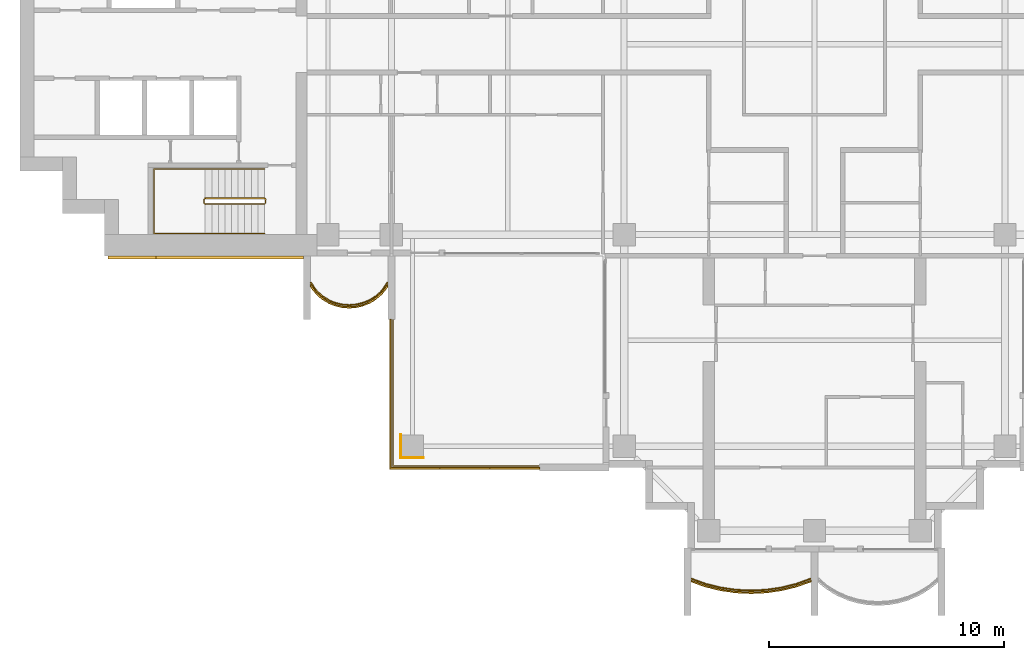
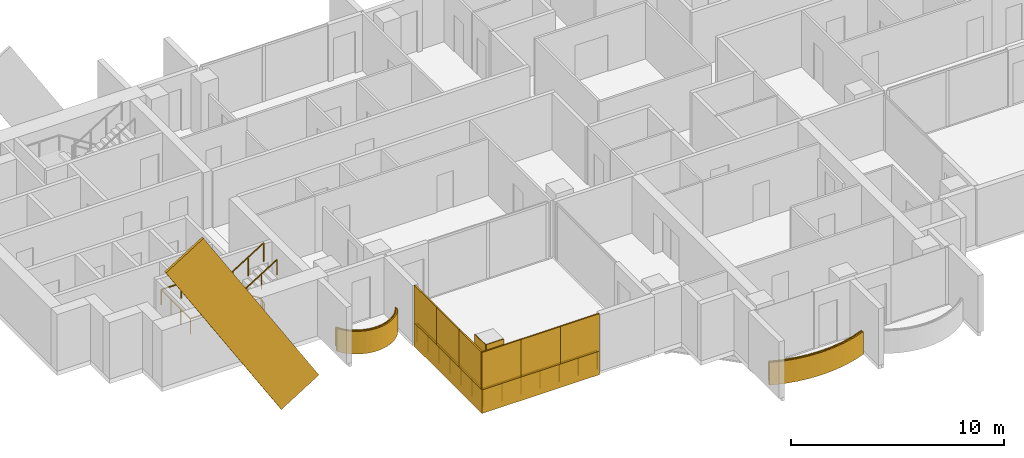
# One storey, part 15 of 18: 12 coverings, 5 railings.
"""IFC4 building model written with IfcOpenShell, lengths in metres."""

from ifc_helpers import new_model, si_unit, direction, frame, origin, origin_2d, place, context, subcontext, project, spatial, polyline, rectangle, outline, extrude, material, layer, layer_set, material_profile, profile_set, type_object, element, save


model = new_model("IFC4")

# Units and contexts
model_context = context("Model", 3, precision=1e-05, world=origin(), true_north=direction((0.0, 1.0)))
body_context = subcontext(model_context, "Body", "Model", "MODEL_VIEW")
ifc_project = project(units=[si_unit("LENGTHUNIT", "METRE"), si_unit("AREAUNIT", "SQUARE_METRE"), si_unit("VOLUMEUNIT", "CUBIC_METRE"), si_unit("PLANEANGLEUNIT", "RADIAN"), si_unit("MASSUNIT", "GRAM", prefix="KILO")], contexts=[model_context])

# Site, building, storey
site_placement = place(None, origin())
site = spatial("IfcSite", under=ifc_project, at=site_placement, CompositionType="ELEMENT")
building_placement = place(site_placement, origin())
building = spatial("IfcBuilding", under=site, at=building_placement, Name="Perihelion Cross Residences", CompositionType="ELEMENT")
storey_placement = place(building_placement, frame((0.0, 0.0, 177.10009765625)))
storey = spatial("IfcBuildingStorey", under=building, at=storey_placement, Name="L43", CompositionType="ELEMENT", Elevation=177.10009765625)

# Coverings
ifc_material_1 = material(Name="Bronze anodised aluminium", Category="aluminium")
ifc_layer_1 = layer(ifc_material_1, 0.070068359375)
ifc_layer_set_1 = layer_set([ifc_layer_1], Name="Balcony fascia 1300")
covering_type_1 = type_object("IfcCoveringType", Name="Balcony fascia 1300", PredefinedType="CLADDING", material=ifc_layer_set_1)
covering_1_placement = place(storey_placement, frame((0.0, 0.0, -0.2001953125)))
element("IfcCovering", 1, at=covering_1_placement, inside=storey, type_object=covering_type_1, Name="Fascia BF1 L43 west side south bay 1", PredefinedType="CLADDING", context=body_context, shape_type="SweptSolid", body=[
    extrude(outline(polyline([(-21.226318359375, -10.616455078125), (-20.94091796875, -10.86328125), (-20.655517578125, -11.031494140625), (-20.370361328125, -11.142578125), (-20.085205078125, -11.206298828125), (-19.800048828125, -11.22705078125), (-19.514892578125, -11.206298828125), (-19.229736328125, -11.142578125), (-18.9443359375, -11.031494140625), (-18.6591796875, -10.86328125), (-18.373779296875, -10.616455078125), (-18.14990234375, -10.31689453125), (-18.14990234375, -10.199951171875), (-18.425048828125, -10.568603515625), (-18.699951171875, -10.806396484375), (-18.97509765625, -10.96875), (-19.25, -11.07568359375), (-19.52490234375, -11.136962890625), (-19.800048828125, -11.156982421875), (-20.074951171875, -11.136962890625), (-20.35009765625, -11.07568359375), (-20.625, -10.96875), (-20.89990234375, -10.806396484375), (-21.175048828125, -10.568603515625), (-21.449951171875, -10.199951171875), (-21.449951171875, -10.31689453125), (-21.226318359375, -10.616455078125)])), origin(), (0.0, 0.0, 1.0), 1.300048828125),
])
covering_2_placement = place(storey_placement, frame((0.0, 0.0, -0.2001953125)))
element("IfcCovering", 2, at=covering_2_placement, inside=storey, type_object=covering_type_1, Name="Fascia BF1 L43 south tip south bay 1", PredefinedType="CLADDING", context=body_context, shape_type="SweptSolid", body=[
    extrude(outline(polyline([(-4.63232421875, -23.090576171875), (-3.98828125, -23.247314453125), (-3.34423828125, -23.339599609375), (-2.699951171875, -23.3701171875), (-2.055908203125, -23.339599609375), (-1.411865234375, -23.247314453125), (-0.767578125, -23.090576171875), (-0.14990234375, -22.874267578125), (-0.14990234375, -22.800048828125), (-0.78759765625, -23.0234375), (-1.425048828125, -23.178466796875), (-2.0625, -23.269775390625), (-2.699951171875, -23.300048828125), (-3.33740234375, -23.269775390625), (-3.97509765625, -23.178466796875), (-4.612548828125, -23.0234375), (-5.25, -22.800048828125), (-5.25, -22.874267578125), (-4.63232421875, -23.090576171875)])), origin(), (0.0, 0.0, 1.0), 1.300048828125),
])

# Railings
ifc_material_2 = material(Name="Bronze anodised aluminium", Category="aluminium")
railing_type_1 = type_object("IfcRailingType", Name="Balcony guard 1100", PredefinedType="GUARDRAIL", material=ifc_material_2)
railing_1_placement = place(storey_placement, frame((-21.425048828125, -10.139892578125, 0.0)))
element("IfcRailing", 3, at=railing_1_placement, inside=storey, type_object=railing_type_1, Name="Guard GU1 L43 west side south bay 1 balcony", PredefinedType="GUARDRAIL", context=body_context, shape_type="SweptSolid", body=[
    extrude(rectangle(XDim=0.048095703125, YDim=0.048095703125, at=origin_2d()), frame((0.0, 0.0, 1.076171875), z_axis=(0.561260132269, -0.827639452857, 0.0), x_axis=(0.827639452857, 0.561260132269, 0.0)), (0.0, 0.0, 1.0), 0.4453125),
    extrude(rectangle(XDim=0.048095703125, YDim=0.048095703125, at=origin_2d()), frame((0.25, -0.36865234375, 1.076171875), z_axis=(0.756596535164, -0.653882009982, 0.0), x_axis=(0.653882009982, 0.756596535164, 0.0)), (0.0, 0.0, 1.0), 0.36376953125),
    extrude(rectangle(XDim=0.048095703125, YDim=0.048095703125, at=origin_2d()), frame((0.525146484375, -0.6064453125, 1.076171875), z_axis=(0.861048292884, -0.508523192511, 0.0), x_axis=(0.508523192511, 0.861048292884, 0.0)), (0.0, 0.0, 1.0), 0.3193359375),
    extrude(rectangle(XDim=0.048095703125, YDim=0.048095703125, at=origin_2d()), frame((0.800048828125, -0.768798828125, 1.076171875), z_axis=(0.931973602183, -0.362526143656, 0.0), x_axis=(0.362526143656, 0.931973602183, 0.0)), (0.0, 0.0, 1.0), 0.294921875),
    extrude(rectangle(XDim=0.048095703125, YDim=0.048095703125, at=origin_2d()), frame((1.074951171875, -0.875732421875, 1.076171875), z_axis=(0.976085059389, -0.21738895289, 0.0), x_axis=(0.21738895289, 0.976085059389, 0.0)), (0.0, 0.0, 1.0), 0.281982421875),
    extrude(rectangle(XDim=0.048095703125, YDim=0.048095703125, at=origin_2d()), frame((1.35009765625, -0.93701171875, 1.076171875), z_axis=(0.997358821833, -0.072631814734, 0.0), x_axis=(0.072631814734, 0.997358821833, 0.0)), (0.0, 0.0, 1.0), 0.275634765625),
    extrude(rectangle(XDim=0.048095703125, YDim=0.048095703125, at=origin_2d()), frame((1.625, -0.95703125, 1.076171875), z_axis=(0.997363488337, 0.072567707226, 0.0), x_axis=(-0.072567707226, 0.997363488337, 0.0)), (0.0, 0.0, 1.0), 0.27587890625),
    extrude(rectangle(XDim=0.048095703125, YDim=0.048095703125, at=origin_2d()), frame((1.900146484375, -0.93701171875, 1.076171875), z_axis=(0.976044077717, 0.217572880557, 0.0), x_axis=(-0.217572880557, 0.976044077717, 0.0)), (0.0, 0.0, 1.0), 0.28173828125),
    extrude(rectangle(XDim=0.048095703125, YDim=0.048095703125, at=origin_2d()), frame((2.175048828125, -0.875732421875, 1.076171875), z_axis=(0.931973602183, 0.362526143656, 0.0), x_axis=(-0.362526143656, 0.931973602183, 0.0)), (0.0, 0.0, 1.0), 0.294921875),
    extrude(rectangle(XDim=0.048095703125, YDim=0.048095703125, at=origin_2d()), frame((2.449951171875, -0.768798828125, 1.076171875), z_axis=(0.861245845072, 0.508188542123, 0.0), x_axis=(-0.508188542123, 0.861245845072, 0.0)), (0.0, 0.0, 1.0), 0.319580078125),
    extrude(rectangle(XDim=0.048095703125, YDim=0.048095703125, at=origin_2d()), frame((2.72509765625, -0.6064453125, 1.076171875), z_axis=(0.756309278473, 0.654214242658, 0.0), x_axis=(-0.654214242658, 0.756309278473, 0.0)), (0.0, 0.0, 1.0), 0.363525390625),
    extrude(rectangle(XDim=0.048095703125, YDim=0.048095703125, at=origin_2d()), frame((3.0, -0.36865234375, 1.076171875), z_axis=(0.561260132269, 0.827639452857, 0.0), x_axis=(-0.827639452857, 0.561260132269, 0.0)), (0.0, 0.0, 1.0), 0.4453125),
    extrude(rectangle(XDim=0.0419921875, YDim=0.0419921875, at=origin_2d()), origin(), (0.0, 0.0, 1.0), 1.052001953125),
    extrude(rectangle(XDim=0.0419921875, YDim=0.0419921875, at=origin_2d()), frame((0.25, -0.36865234375, 0.0)), (0.0, 0.0, 1.0), 1.052001953125),
    extrude(rectangle(XDim=0.0419921875, YDim=0.0419921875, at=origin_2d()), frame((0.525146484375, -0.6064453125, 0.0)), (0.0, 0.0, 1.0), 1.052001953125),
    extrude(rectangle(XDim=0.0419921875, YDim=0.0419921875, at=origin_2d()), frame((0.800048828125, -0.768798828125, 0.0)), (0.0, 0.0, 1.0), 1.052001953125),
    extrude(rectangle(XDim=0.0419921875, YDim=0.0419921875, at=origin_2d()), frame((1.074951171875, -0.875732421875, 0.0)), (0.0, 0.0, 1.0), 1.052001953125),
    extrude(rectangle(XDim=0.0419921875, YDim=0.0419921875, at=origin_2d()), frame((1.35009765625, -0.93701171875, 0.0)), (0.0, 0.0, 1.0), 1.052001953125),
    extrude(rectangle(XDim=0.0419921875, YDim=0.0419921875, at=origin_2d()), frame((1.625, -0.95703125, 0.0)), (0.0, 0.0, 1.0), 1.052001953125),
    extrude(rectangle(XDim=0.0419921875, YDim=0.0419921875, at=origin_2d()), frame((1.900146484375, -0.93701171875, 0.0)), (0.0, 0.0, 1.0), 1.052001953125),
    extrude(rectangle(XDim=0.0419921875, YDim=0.0419921875, at=origin_2d()), frame((2.175048828125, -0.875732421875, 0.0)), (0.0, 0.0, 1.0), 1.052001953125),
    extrude(rectangle(XDim=0.0419921875, YDim=0.0419921875, at=origin_2d()), frame((2.449951171875, -0.768798828125, 0.0)), (0.0, 0.0, 1.0), 1.052001953125),
    extrude(rectangle(XDim=0.0419921875, YDim=0.0419921875, at=origin_2d()), frame((2.72509765625, -0.6064453125, 0.0)), (0.0, 0.0, 1.0), 1.052001953125),
    extrude(rectangle(XDim=0.0419921875, YDim=0.0419921875, at=origin_2d()), frame((3.0, -0.36865234375, 0.0)), (0.0, 0.0, 1.0), 1.052001953125),
    extrude(rectangle(XDim=0.0419921875, YDim=0.0419921875, at=origin_2d()), frame((3.25, 0.0, 0.0)), (0.0, 0.0, 1.0), 1.052001953125),
])
railing_2_placement = place(storey_placement, frame((-5.22509765625, -22.739990234375, 0.0)))
element("IfcRailing", 4, at=railing_2_placement, inside=storey, type_object=railing_type_1, Name="Guard GU1 L43 south tip south bay 1 balcony", PredefinedType="GUARDRAIL", context=body_context, shape_type="SweptSolid", body=[
    extrude(rectangle(XDim=0.048095703125, YDim=0.048095703125, at=origin_2d()), frame((0.0, 0.0, 1.076171875), z_axis=(0.939355405384, -0.342945217749, 0.0), x_axis=(0.342945217749, 0.939355405384, 0.0)), (0.0, 0.0, 1.0), 0.652099609375),
    extrude(rectangle(XDim=0.048095703125, YDim=0.048095703125, at=origin_2d()), frame((0.612548828125, -0.2236328125, 1.076171875), z_axis=(0.971676841941, -0.236313594268, 0.0), x_axis=(0.236313594268, 0.971676841941, 0.0)), (0.0, 0.0, 1.0), 0.656005859375),
    extrude(rectangle(XDim=0.048095703125, YDim=0.048095703125, at=origin_2d()), frame((1.25, -0.378662109375, 1.076171875), z_axis=(0.989903964498, -0.141739694763, 0.0), x_axis=(0.141739694763, 0.989903964498, 0.0)), (0.0, 0.0, 1.0), 0.644287109375),
    extrude(rectangle(XDim=0.048095703125, YDim=0.048095703125, at=origin_2d()), frame((1.8876953125, -0.469970703125, 1.076171875), z_axis=(0.998892243319, -0.04705620296, 0.0), x_axis=(0.04705620296, 0.998892243319, 0.0)), (0.0, 0.0, 1.0), 0.63818359375),
    extrude(rectangle(XDim=0.048095703125, YDim=0.048095703125, at=origin_2d()), frame((2.525146484375, -0.5, 1.076171875), z_axis=(0.998892243319, 0.04705620296, 0.0), x_axis=(-0.04705620296, 0.998892243319, 0.0)), (0.0, 0.0, 1.0), 0.63818359375),
    extrude(rectangle(XDim=0.048095703125, YDim=0.048095703125, at=origin_2d()), frame((3.16259765625, -0.469970703125, 1.076171875), z_axis=(0.989896346386, 0.141792889142, 0.0), x_axis=(-0.141792889142, 0.989896346386, 0.0)), (0.0, 0.0, 1.0), 0.64404296875),
    extrude(rectangle(XDim=0.048095703125, YDim=0.048095703125, at=origin_2d()), frame((3.800048828125, -0.378662109375, 1.076171875), z_axis=(0.971676841941, 0.236313594268, 0.0), x_axis=(-0.236313594268, 0.971676841941, 0.0)), (0.0, 0.0, 1.0), 0.656005859375),
    extrude(rectangle(XDim=0.048095703125, YDim=0.048095703125, at=origin_2d()), frame((4.4375, -0.2236328125, 1.076171875), z_axis=(0.939355405384, 0.342945217749, 0.0), x_axis=(-0.342945217749, 0.939355405384, 0.0)), (0.0, 0.0, 1.0), 0.652099609375),
    extrude(rectangle(XDim=0.0419921875, YDim=0.0419921875, at=origin_2d()), origin(), (0.0, 0.0, 1.0), 1.052001953125),
    extrude(rectangle(XDim=0.0419921875, YDim=0.0419921875, at=origin_2d()), frame((0.612548828125, -0.2236328125, 0.0)), (0.0, 0.0, 1.0), 1.052001953125),
    extrude(rectangle(XDim=0.0419921875, YDim=0.0419921875, at=origin_2d()), frame((1.25, -0.378662109375, 0.0)), (0.0, 0.0, 1.0), 1.052001953125),
    extrude(rectangle(XDim=0.0419921875, YDim=0.0419921875, at=origin_2d()), frame((1.8876953125, -0.469970703125, 0.0)), (0.0, 0.0, 1.0), 1.052001953125),
    extrude(rectangle(XDim=0.0419921875, YDim=0.0419921875, at=origin_2d()), frame((2.525146484375, -0.5, 0.0)), (0.0, 0.0, 1.0), 1.052001953125),
    extrude(rectangle(XDim=0.0419921875, YDim=0.0419921875, at=origin_2d()), frame((3.16259765625, -0.469970703125, 0.0)), (0.0, 0.0, 1.0), 1.052001953125),
    extrude(rectangle(XDim=0.0419921875, YDim=0.0419921875, at=origin_2d()), frame((3.800048828125, -0.378662109375, 0.0)), (0.0, 0.0, 1.0), 1.052001953125),
    extrude(rectangle(XDim=0.0419921875, YDim=0.0419921875, at=origin_2d()), frame((4.4375, -0.2236328125, 0.0)), (0.0, 0.0, 1.0), 1.052001953125),
    extrude(rectangle(XDim=0.0419921875, YDim=0.0419921875, at=origin_2d()), frame((5.050048828125, 0.0, 0.0)), (0.0, 0.0, 1.0), 1.052001953125),
])
railing_3_placement = place(storey_placement, frame((-11.739990234375, -17.93994140625, 0.0)))
element("IfcRailing", 5, at=railing_3_placement, inside=storey, type_object=railing_type_1, Name="Guard GU1 L43 pocket south-west 1", PredefinedType="GUARDRAIL", context=body_context, shape_type="SweptSolid", body=[
    extrude(rectangle(XDim=0.048095703125, YDim=0.048095703125, at=origin_2d()), frame((0.0, 0.0, 1.076171875), z_axis=(-1.0, 0.0, 0.0), x_axis=(0.0, -1.0, 0.0)), (0.0, 0.0, 1.0), 6.199951171875),
    extrude(rectangle(XDim=0.048095703125, YDim=0.048095703125, at=origin_2d()), frame((-6.199951171875, 0.0, 1.076171875), z_axis=(0.0, 1.0, 0.0), x_axis=(-1.0, 0.0, 0.0)), (0.0, 0.0, 1.0), 6.199951171875),
    extrude(rectangle(XDim=0.0419921875, YDim=0.0419921875, at=origin_2d()), origin(), (0.0, 0.0, 1.0), 1.052001953125),
    extrude(rectangle(XDim=0.0419921875, YDim=0.0419921875, at=origin_2d()), frame((-1.033203125, 0.0, 0.0)), (0.0, 0.0, 1.0), 1.052001953125),
    extrude(rectangle(XDim=0.0419921875, YDim=0.0419921875, at=origin_2d()), frame((-2.066650390625, 0.0, 0.0)), (0.0, 0.0, 1.0), 1.052001953125),
    extrude(rectangle(XDim=0.0419921875, YDim=0.0419921875, at=origin_2d()), frame((-3.10009765625, 0.0, 0.0)), (0.0, 0.0, 1.0), 1.052001953125),
    extrude(rectangle(XDim=0.0419921875, YDim=0.0419921875, at=origin_2d()), frame((-4.13330078125, 0.0, 0.0)), (0.0, 0.0, 1.0), 1.052001953125),
    extrude(rectangle(XDim=0.0419921875, YDim=0.0419921875, at=origin_2d()), frame((-5.16650390625, 0.0, 0.0)), (0.0, 0.0, 1.0), 1.052001953125),
    extrude(rectangle(XDim=0.0419921875, YDim=0.0419921875, at=origin_2d()), frame((-6.199951171875, 0.0, 0.0)), (0.0, 0.0, 1.0), 1.052001953125),
    extrude(rectangle(XDim=0.0419921875, YDim=0.0419921875, at=origin_2d()), frame((-6.199951171875, 1.033203125, 0.0)), (0.0, 0.0, 1.0), 1.052001953125),
    extrude(rectangle(XDim=0.0419921875, YDim=0.0419921875, at=origin_2d()), frame((-6.199951171875, 2.066650390625, 0.0)), (0.0, 0.0, 1.0), 1.052001953125),
    extrude(rectangle(XDim=0.0419921875, YDim=0.0419921875, at=origin_2d()), frame((-6.199951171875, 3.10009765625, 0.0)), (0.0, 0.0, 1.0), 1.052001953125),
    extrude(rectangle(XDim=0.0419921875, YDim=0.0419921875, at=origin_2d()), frame((-6.199951171875, 4.13330078125, 0.0)), (0.0, 0.0, 1.0), 1.052001953125),
    extrude(rectangle(XDim=0.0419921875, YDim=0.0419921875, at=origin_2d()), frame((-6.199951171875, 5.16650390625, 0.0)), (0.0, 0.0, 1.0), 1.052001953125),
    extrude(rectangle(XDim=0.0419921875, YDim=0.0419921875, at=origin_2d()), frame((-6.199951171875, 6.199951171875, 0.0)), (0.0, 0.0, 1.0), 1.052001953125),
])

# Coverings
ifc_material_3 = material(Name="Bronze anodised aluminium", Category="aluminium")
ifc_material_profile = material_profile(ifc_material_3, rectangle(XDim=0.125, YDim=2.39990234375, at=origin_2d()), Name="Bronze cladding band 2400")
ifc_profile_set = profile_set([ifc_material_profile], Name="Bronze anodised aluminium")
covering_type_2 = type_object("IfcCoveringType", Name="Bronze cladding band 2400", PredefinedType="CLADDING", material=ifc_profile_set)
covering_3_placement = place(storey_placement, frame((-22.767578125, -9.0625, -2.805419921875), z_axis=(-0.529915403603, 0.0, 0.848050508534), x_axis=(0.0, -1.0, 0.0)))
element("IfcCovering", 6, at=covering_3_placement, inside=storey, type_object=covering_type_2, Name="Core cladding band, west core", PredefinedType="CLADDING", context=body_context, shape_type="SweptSolid", body=[
    extrude(rectangle(XDim=0.125, YDim=2.39990234375, at=origin_2d()), origin(), (0.0, 0.0, 1.0), 11.822021484375),
])
ifc_material_4 = material(Name="Bronze anodised aluminium", Category="aluminium")
ifc_layer_2 = layer(ifc_material_4, 0.0400390625)
ifc_layer_set_2 = layer_set([ifc_layer_2], Name="Bronze column casing 40")
covering_type_3 = type_object("IfcCoveringType", Name="Bronze column casing 40", PredefinedType="CLADDING", material=ifc_layer_set_2)
covering_4_placement = place(storey_placement, frame((-17.594970703125, -17.10009765625, -0.25), z_axis=(0.0, 0.0, 1.0), x_axis=(1.0, 0.0, 0.0)))
element("IfcCovering", 7, at=covering_4_placement, inside=storey, type_object=covering_type_3, Name="Cladding CC1 L43 casing east-west no. 1", PredefinedType="CLADDING", context=body_context, shape_type="SweptSolid", body=[
    extrude(rectangle(XDim=0.0400390625, YDim=1.030029296875, at=origin_2d()), origin(), (0.0, 0.0, 1.0), 3.5),
])
covering_5_placement = place(storey_placement, frame((-17.10009765625, -17.594970703125, -0.25), z_axis=(0.0, 0.0, 1.0), x_axis=(1.0, 0.0, 0.0)))
element("IfcCovering", 8, at=covering_5_placement, inside=storey, type_object=covering_type_3, Name="Cladding CC1 L43 casing north-south no. 1", PredefinedType="CLADDING", context=body_context, shape_type="SweptSolid", body=[
    extrude(rectangle(XDim=0.949951171875, YDim=0.0400390625, at=origin_2d()), origin(), (0.0, 0.0, 1.0), 3.5),
])
ifc_material_5 = material(Name="Bronze anodised aluminium", Category="aluminium")
ifc_layer_3 = layer(ifc_material_5, 0.070068359375)
ifc_layer_set_3 = layer_set([ifc_layer_3], Name="Pocket fascia 1350")
covering_type_4 = type_object("IfcCoveringType", Name="Pocket fascia 1350", PredefinedType="CLADDING", material=ifc_layer_set_3)
covering_6_placement = place(storey_placement, frame((0.0, 0.0, -0.25)))
element("IfcCovering", 9, at=covering_6_placement, inside=storey, type_object=covering_type_4, Name="Fascia BF2 L43 pocket south-west 1", PredefinedType="CLADDING", context=body_context, shape_type="SweptSolid", body=[
    extrude(outline(polyline([(-18.070068359375, -11.699951171875), (-18.070068359375, -18.070068359375), (-11.699951171875, -18.070068359375), (-11.699951171875, -18.0), (-18.0, -18.0), (-18.0, -11.699951171875), (-18.070068359375, -11.699951171875)])), origin(), (0.0, 0.0, 1.0), 1.349853515625),
])
ifc_material_6 = material(Name="Bronze perforated aluminium", Category="aluminium")
ifc_layer_4 = layer(ifc_material_6, 0.070068359375)
ifc_layer_set_4 = layer_set([ifc_layer_4], Name="Pocket solar screen, bronze perforated")
covering_type_5 = type_object("IfcCoveringType", Name="Pocket solar screen, bronze perforated", PredefinedType="CLADDING", material=ifc_layer_set_4)
covering_7_placement = place(storey_placement, frame((0.0, 0.0, 1.099853515625)))
element("IfcCovering", 10, at=covering_7_placement, inside=storey, type_object=covering_type_5, Name="Solar screen PS1 L43 pocket south-west no. 1", PredefinedType="CLADDING", context=body_context, shape_type="SweptSolid", body=[
    extrude(outline(polyline([(-18.0, -18.0), (-18.0, -15.89990234375), (-18.070068359375, -15.89990234375), (-18.070068359375, -18.0), (-18.0, -18.0)])), origin(), (0.0, 0.0, 1.0), 2.150146484375),
])
covering_8_placement = place(storey_placement, frame((0.0, 0.0, 1.099853515625)))
element("IfcCovering", 11, at=covering_8_placement, inside=storey, type_object=covering_type_5, Name="Solar screen PS1 L43 pocket south-west no. 2", PredefinedType="CLADDING", context=body_context, shape_type="SweptSolid", body=[
    extrude(outline(polyline([(-18.0, -15.89990234375), (-18.0, -13.800048828125), (-18.070068359375, -13.800048828125), (-18.070068359375, -15.89990234375), (-18.0, -15.89990234375)])), origin(), (0.0, 0.0, 1.0), 2.150146484375),
])
covering_9_placement = place(storey_placement, frame((0.0, 0.0, 1.099853515625)))
element("IfcCovering", 12, at=covering_9_placement, inside=storey, type_object=covering_type_5, Name="Solar screen PS1 L43 pocket south-west no. 3", PredefinedType="CLADDING", context=body_context, shape_type="SweptSolid", body=[
    extrude(outline(polyline([(-18.0, -13.800048828125), (-18.0, -11.699951171875), (-18.070068359375, -11.699951171875), (-18.070068359375, -13.800048828125), (-18.0, -13.800048828125)])), origin(), (0.0, 0.0, 1.0), 2.150146484375),
])
covering_10_placement = place(storey_placement, frame((0.0, 0.0, 1.099853515625)))
element("IfcCovering", 13, at=covering_10_placement, inside=storey, type_object=covering_type_5, Name="Solar screen PS1 L43 pocket south-west no. 4", PredefinedType="CLADDING", context=body_context, shape_type="SweptSolid", body=[
    extrude(outline(polyline([(-15.94677734375, -18.070068359375), (-15.94677734375, -18.0), (-18.070068359375, -18.0), (-18.070068359375, -18.070068359375), (-15.94677734375, -18.070068359375)])), origin(), (0.0, 0.0, 1.0), 2.150146484375),
])
covering_11_placement = place(storey_placement, frame((0.0, 0.0, 1.099853515625)))
element("IfcCovering", 14, at=covering_11_placement, inside=storey, type_object=covering_type_5, Name="Solar screen PS1 L43 pocket south-west no. 5", PredefinedType="CLADDING", context=body_context, shape_type="SweptSolid", body=[
    extrude(outline(polyline([(-13.8232421875, -18.070068359375), (-13.8232421875, -18.0), (-15.94677734375, -18.0), (-15.94677734375, -18.070068359375), (-13.8232421875, -18.070068359375)])), origin(), (0.0, 0.0, 1.0), 2.150146484375),
])
covering_12_placement = place(storey_placement, frame((0.0, 0.0, 1.099853515625)))
element("IfcCovering", 15, at=covering_12_placement, inside=storey, type_object=covering_type_5, Name="Solar screen PS1 L43 pocket south-west no. 6", PredefinedType="CLADDING", context=body_context, shape_type="SweptSolid", body=[
    extrude(outline(polyline([(-11.699951171875, -18.070068359375), (-11.699951171875, -18.0), (-13.8232421875, -18.0), (-13.8232421875, -18.070068359375), (-11.699951171875, -18.070068359375)])), origin(), (0.0, 0.0, 1.0), 2.150146484375),
])

# Railings
ifc_material_7 = material(Name="Stainless steel", Category="steel")
railing_type_2 = type_object("IfcRailingType", Name="Stair guard 1100", PredefinedType="GUARDRAIL", material=ifc_material_7)
railing_4_placement = place(storey_placement, frame((-23.35009765625, -6.75, 0.0)))
element("IfcRailing", 16, at=railing_4_placement, inside=storey, type_object=railing_type_2, Name="L43 ST-W2 stair guard 1", PredefinedType="GUARDRAIL", context=body_context, shape_type="SweptSolid", body=[
    extrude(rectangle(XDim=0.048095703125, YDim=0.048095703125, at=origin_2d()), frame((0.0, 0.0, 1.076171875), z_axis=(0.0, 1.0, 0.0), x_axis=(-1.0, 0.0, 0.0)), (0.0, 0.0, 1.0), 0.14990234375),
    extrude(rectangle(XDim=0.048095703125, YDim=0.048095703125, at=origin_2d()), frame((0.0, 0.14990234375, 1.076171875), z_axis=(-0.264179342666, 0.265474339444, 0.927217692888), x_axis=(-0.708833529934, -0.705375805398, 0.0)), (0.0, 0.0, 1.0), 0.1884765625),
    extrude(rectangle(XDim=0.048095703125, YDim=0.048095703125, at=origin_2d()), frame((-0.0498046875, 0.199951171875, 1.2509765625), z_axis=(-0.847970611238, 0.0, 0.530043245855), x_axis=(0.0, -1.0, 0.0)), (0.0, 0.0, 1.0), 2.971923828125),
    extrude(rectangle(XDim=0.048095703125, YDim=0.048095703125, at=origin_2d()), frame((-2.56982421875, 0.199951171875, 2.826171875), z_axis=(-0.707106781187, -0.707106781187, 0.0), x_axis=(0.707106781187, -0.707106781187, 0.0)), (0.0, 0.0, 1.0), 0.07080078125),
    extrude(rectangle(XDim=0.048095703125, YDim=0.048095703125, at=origin_2d()), frame((-2.619873046875, 0.14990234375, 2.826171875), z_axis=(0.0, -1.0, 0.0), x_axis=(1.0, 0.0, 0.0)), (0.0, 0.0, 1.0), 0.14990234375),
    extrude(rectangle(XDim=0.048095703125, YDim=0.048095703125, at=origin_2d()), frame((-2.619873046875, 0.0, 2.826171875), z_axis=(0.265383341853, -0.265383341853, 0.926899867156), x_axis=(0.707106781187, 0.707106781187, 0.0)), (0.0, 0.0, 1.0), 0.1884765625),
    extrude(rectangle(XDim=0.048095703125, YDim=0.048095703125, at=origin_2d()), frame((-2.56982421875, -0.050048828125, 3.0009765625), z_axis=(0.847970611238, 0.0, 0.530043245855), x_axis=(0.0, 1.0, 0.0)), (0.0, 0.0, 1.0), 2.971923828125),
    extrude(rectangle(XDim=0.0419921875, YDim=0.0419921875, at=origin_2d()), origin(), (0.0, 0.0, 1.0), 1.052001953125),
    extrude(rectangle(XDim=0.0419921875, YDim=0.0419921875, at=origin_2d()), frame((0.0, 0.14990234375, 0.0)), (0.0, 0.0, 1.0), 1.052001953125),
    extrude(rectangle(XDim=0.0419921875, YDim=0.0419921875, at=origin_2d()), frame((-0.0498046875, 0.199951171875, 0.1748046875)), (0.0, 0.0, 1.0), 1.052001953125),
    extrude(rectangle(XDim=0.0419921875, YDim=0.0419921875, at=origin_2d()), frame((-0.889892578125, 0.199951171875, 0.699951171875)), (0.0, 0.0, 1.0), 1.052001953125),
    extrude(rectangle(XDim=0.0419921875, YDim=0.0419921875, at=origin_2d()), frame((-1.729736328125, 0.199951171875, 1.224853515625)), (0.0, 0.0, 1.0), 1.052001953125),
    extrude(rectangle(XDim=0.0419921875, YDim=0.0419921875, at=origin_2d()), frame((-2.56982421875, 0.199951171875, 1.75)), (0.0, 0.0, 1.0), 1.052001953125),
    extrude(rectangle(XDim=0.0419921875, YDim=0.0419921875, at=origin_2d()), frame((-2.619873046875, 0.14990234375, 1.75)), (0.0, 0.0, 1.0), 1.052001953125),
    extrude(rectangle(XDim=0.0419921875, YDim=0.0419921875, at=origin_2d()), frame((-2.619873046875, 0.0, 1.75)), (0.0, 0.0, 1.0), 1.052001953125),
    extrude(rectangle(XDim=0.0419921875, YDim=0.0419921875, at=origin_2d()), frame((-2.56982421875, -0.050048828125, 1.9248046875)), (0.0, 0.0, 1.0), 1.052001953125),
    extrude(rectangle(XDim=0.0419921875, YDim=0.0419921875, at=origin_2d()), frame((-1.729736328125, -0.050048828125, 2.449951171875)), (0.0, 0.0, 1.0), 1.052001953125),
    extrude(rectangle(XDim=0.0419921875, YDim=0.0419921875, at=origin_2d()), frame((-0.889892578125, -0.050048828125, 2.974853515625)), (0.0, 0.0, 1.0), 1.052001953125),
    extrude(rectangle(XDim=0.0419921875, YDim=0.0419921875, at=origin_2d()), frame((-0.0498046875, -0.050048828125, 3.5)), (0.0, 0.0, 1.0), 1.052001953125),
])
ifc_material_8 = material(Name="Stainless steel", Category="steel")
railing_type_3 = type_object("IfcRailingType", Name="Stair handrail 900", PredefinedType="HANDRAIL", material=ifc_material_8)
railing_5_placement = place(storey_placement, frame((-23.39990234375, -5.300048828125, 0.1748046875)))
element("IfcRailing", 17, at=railing_5_placement, inside=storey, type_object=railing_type_3, Name="L43 ST-W2 stair handrail 1", PredefinedType="HANDRAIL", context=body_context, shape_type="SweptSolid", body=[
    extrude(rectangle(XDim=0.048095703125, YDim=0.048095703125, at=origin_2d()), frame((0.0, 0.0, 0.8759765625), z_axis=(-0.847970611238, 0.0, 0.530043245855), x_axis=(0.0, -1.0, 0.0)), (0.0, 0.0, 1.0), 2.971923828125),
    extrude(rectangle(XDim=0.048095703125, YDim=0.048095703125, at=origin_2d()), frame((-2.52001953125, 0.0, 2.451171875), z_axis=(-1.0, 0.0, 0.0), x_axis=(0.0, -1.0, 0.0)), (0.0, 0.0, 1.0), 2.18017578125),
    extrude(rectangle(XDim=0.048095703125, YDim=0.048095703125, at=origin_2d()), frame((-4.7001953125, 0.0, 2.451171875), z_axis=(0.0, -1.0, 0.0), x_axis=(1.0, 0.0, 0.0)), (0.0, 0.0, 1.0), 2.75),
    extrude(rectangle(XDim=0.048095703125, YDim=0.048095703125, at=origin_2d()), frame((-4.7001953125, -2.75, 2.451171875), z_axis=(1.0, 0.0, 0.0), x_axis=(0.0, 1.0, 0.0)), (0.0, 0.0, 1.0), 2.18017578125),
    extrude(rectangle(XDim=0.048095703125, YDim=0.048095703125, at=origin_2d()), frame((-2.52001953125, -2.75, 2.451171875), z_axis=(0.0, 0.0, 1.0), x_axis=(1.0, 0.0, 0.0)), (0.0, 0.0, 1.0), 0.1748046875),
    extrude(rectangle(XDim=0.048095703125, YDim=0.048095703125, at=origin_2d()), frame((-2.52001953125, -2.75, 2.6259765625), z_axis=(0.847970611238, 0.0, 0.530043245855), x_axis=(0.0, 1.0, 0.0)), (0.0, 0.0, 1.0), 2.971923828125),
    extrude(rectangle(XDim=0.0419921875, YDim=0.0419921875, at=origin_2d()), origin(), (0.0, 0.0, 1.0), 0.851806640625),
    extrude(rectangle(XDim=0.0419921875, YDim=0.0419921875, at=origin_2d()), frame((-0.840087890625, 0.0, 0.525146484375)), (0.0, 0.0, 1.0), 0.851806640625),
    extrude(rectangle(XDim=0.0419921875, YDim=0.0419921875, at=origin_2d()), frame((-1.679931640625, 0.0, 1.050048828125)), (0.0, 0.0, 1.0), 0.851806640625),
    extrude(rectangle(XDim=0.0419921875, YDim=0.0419921875, at=origin_2d()), frame((-2.52001953125, 0.0, 1.5751953125)), (0.0, 0.0, 1.0), 0.851806640625),
    extrude(rectangle(XDim=0.0419921875, YDim=0.0419921875, at=origin_2d()), frame((-3.610107421875, 0.0, 1.5751953125)), (0.0, 0.0, 1.0), 0.851806640625),
    extrude(rectangle(XDim=0.0419921875, YDim=0.0419921875, at=origin_2d()), frame((-4.7001953125, 0.0, 1.5751953125)), (0.0, 0.0, 1.0), 0.851806640625),
    extrude(rectangle(XDim=0.0419921875, YDim=0.0419921875, at=origin_2d()), frame((-4.7001953125, -0.916748046875, 1.5751953125)), (0.0, 0.0, 1.0), 0.851806640625),
    extrude(rectangle(XDim=0.0419921875, YDim=0.0419921875, at=origin_2d()), frame((-4.7001953125, -1.833251953125, 1.5751953125)), (0.0, 0.0, 1.0), 0.851806640625),
    extrude(rectangle(XDim=0.0419921875, YDim=0.0419921875, at=origin_2d()), frame((-4.7001953125, -2.75, 1.5751953125)), (0.0, 0.0, 1.0), 0.851806640625),
    extrude(rectangle(XDim=0.0419921875, YDim=0.0419921875, at=origin_2d()), frame((-3.610107421875, -2.75, 1.5751953125)), (0.0, 0.0, 1.0), 0.851806640625),
    extrude(rectangle(XDim=0.0419921875, YDim=0.0419921875, at=origin_2d()), frame((-2.52001953125, -2.75, 1.5751953125)), (0.0, 0.0, 1.0), 0.851806640625),
    extrude(rectangle(XDim=0.0419921875, YDim=0.0419921875, at=origin_2d()), frame((-2.52001953125, -2.75, 1.75)), (0.0, 0.0, 1.0), 0.851806640625),
    extrude(rectangle(XDim=0.0419921875, YDim=0.0419921875, at=origin_2d()), frame((-1.679931640625, -2.75, 2.275146484375)), (0.0, 0.0, 1.0), 0.851806640625),
    extrude(rectangle(XDim=0.0419921875, YDim=0.0419921875, at=origin_2d()), frame((-0.840087890625, -2.75, 2.800048828125)), (0.0, 0.0, 1.0), 0.851806640625),
    extrude(rectangle(XDim=0.0419921875, YDim=0.0419921875, at=origin_2d()), frame((0.0, -2.75, 3.3251953125)), (0.0, 0.0, 1.0), 0.851806640625),
])

save(model, "model.ifc")
